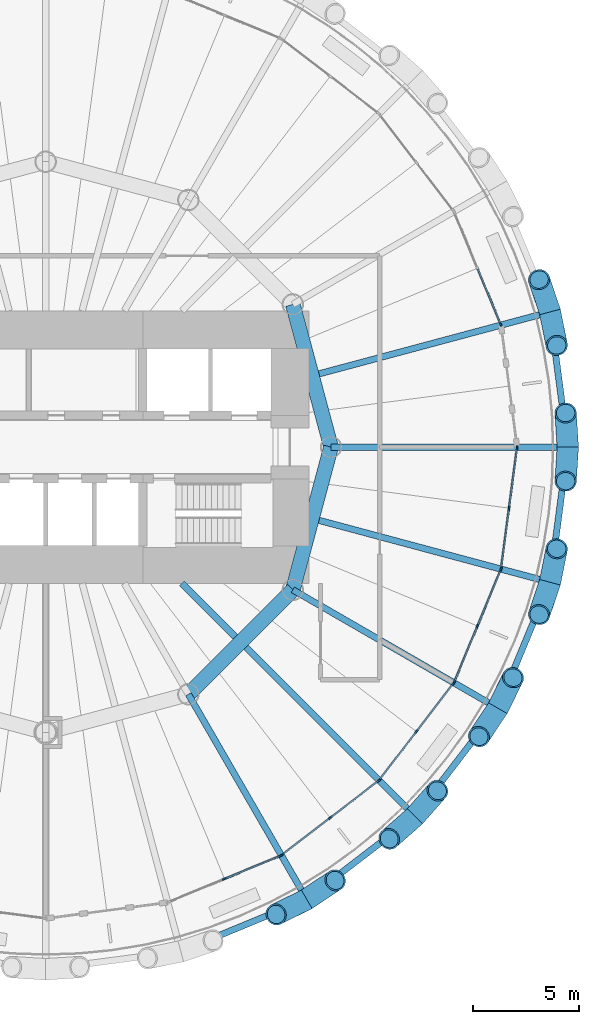
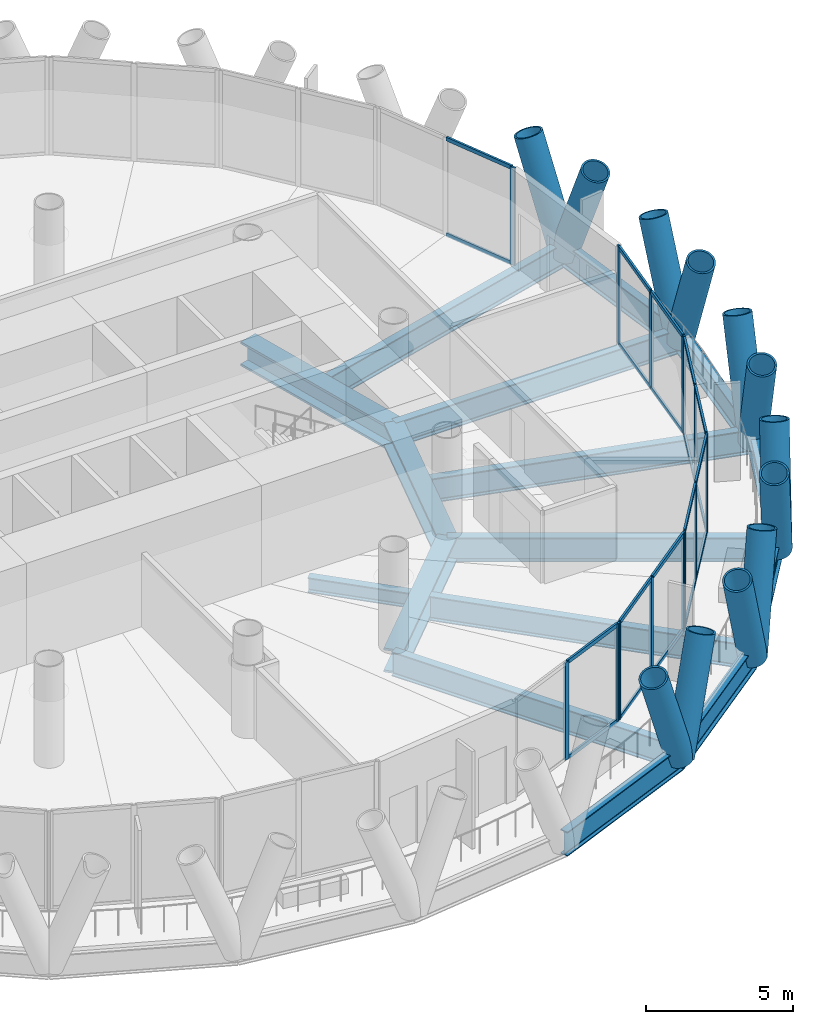
# One storey, part 4 of 14: 47 members, 16 beams, 6 elements without a shape of their own.
"""IFC4 building model written with IfcOpenShell, lengths in metres."""

import ifcopenshell
import ifcopenshell.guid

model = None  # the IFC model being written
_history = None  # IfcOwnerHistory: only IFC2X3 demands one
_inside = {}  # id of a spatial element -> (the spatial element, [elements in it])
_under = {}  # id of a project, library or spatial element -> (it, [spatial elements below it])
_declared = {}  # id of a project -> (the project, [libraries it declares])
_typed = {}  # id of a type object -> (the type object, [elements of that type])
_made_of = {}  # id of a material, layer set ... -> (it, [elements and type objects made of it])


def new_model(schema):
    """Start an empty IFC model of exactly this schema.

    Asked for "IFC4X3", IfcOpenShell would pick the latest addendum, in which some entities
    have other attributes; the version numbers below select the first issue.
    IFC2X3 requires an IfcOwnerHistory on every rooted entity: one is made here for all.
    """
    global model, _history
    if schema == "IFC4X3":
        model = ifcopenshell.file(schema_version=(4, 3, 0, 0))
    else:
        model = ifcopenshell.file(schema=schema)
    _inside.clear()
    _under.clear()
    _declared.clear()
    _typed.clear()
    _made_of.clear()
    _history = None
    if model.schema == "IFC2X3":
        org = make("IfcOrganization", Name="unknown")
        user = make(
            "IfcPersonAndOrganization",
            ThePerson=make("IfcPerson", FamilyName="unknown"),
            TheOrganization=org,
        )
        app = make(
            "IfcApplication",
            ApplicationDeveloper=org,
            Version="unknown",
            ApplicationFullName="unknown",
            ApplicationIdentifier="unknown",
        )
        _history = make(
            "IfcOwnerHistory",
            OwningUser=user,
            OwningApplication=app,
            ChangeAction="ADDED",
            CreationDate=0,
        )
    return model


def make(cls, **values):
    """One entity of the class cls with the attributes given. An attribute that is None is left unset."""
    return model.create_entity(
        cls, **{name: value for name, value in values.items() if value is not None}
    )


def rooted(cls, **values):
    """An entity with a GlobalId (a new one), such as an element, a storey or a relation."""
    return make(cls, GlobalId=ifcopenshell.guid.new(), OwnerHistory=_history, **values)


def si_unit(unit_type, name, prefix=None):
    """IfcSIUnit, for example si_unit("LENGTHUNIT", "METRE", prefix="MILLI")."""
    return make("IfcSIUnit", UnitType=unit_type, Prefix=prefix, Name=name)


def assignment(units):
    """IfcUnitAssignment: the units of a project."""
    return None if units is None else make("IfcUnitAssignment", Units=units)


def point(xyz):
    """IfcCartesianPoint."""
    return None if xyz is None else make("IfcCartesianPoint", Coordinates=xyz)


def direction(xyz):
    """IfcDirection."""
    return None if xyz is None else make("IfcDirection", DirectionRatios=xyz)


def frame(location, z_axis=None, x_axis=None):
    """IfcAxis2Placement3D, a coordinate frame: its origin and axes. An axis left out is left unset."""
    return make(
        "IfcAxis2Placement3D",
        Location=point(location),
        Axis=direction(z_axis),
        RefDirection=direction(x_axis),
    )


def frame_2d(location, x_axis=None):
    """IfcAxis2Placement2D, a coordinate frame in the plane: its origin and x axis."""
    return make(
        "IfcAxis2Placement2D", Location=point(location), RefDirection=direction(x_axis)
    )


def origin():
    """The frame at (0, 0, 0) with its axes left unset."""
    return frame((0.0, 0.0, 0.0))


def origin_2d():
    """The frame at (0, 0) in the plane with its x axis left unset."""
    return frame_2d((0.0, 0.0))


def place(relative_to, where):
    """IfcLocalPlacement: puts the frame where relative to a parent placement (None: the world)."""
    return make(
        "IfcLocalPlacement", PlacementRelTo=relative_to, RelativePlacement=where
    )


def context(
    kind, dimensions, precision=None, world=None, true_north=None, identifier=None
):
    """IfcGeometricRepresentationContext, for example the 3D "Model" context."""
    return make(
        "IfcGeometricRepresentationContext",
        ContextIdentifier=identifier,
        ContextType=kind,
        CoordinateSpaceDimension=dimensions,
        Precision=precision,
        WorldCoordinateSystem=world,
        TrueNorth=true_north,
    )


def subcontext(parent, identifier, kind, view, scale=None):
    """IfcGeometricRepresentationSubContext, for example "Body" below "Model"."""
    return make(
        "IfcGeometricRepresentationSubContext",
        ContextIdentifier=identifier,
        ContextType=kind,
        ParentContext=parent,
        TargetScale=scale,
        TargetView=view,
    )


def project(units=None, contexts=None):
    """IfcProject with its units and contexts."""
    return rooted(
        "IfcProject",
        Name="project",
        RepresentationContexts=contexts,
        UnitsInContext=assignment(units),
    )


def spatial(cls, under=None, at=None, **own):
    """A site, building, storey or space (cls), placed at a placement, below another one or the project."""
    s = rooted(cls, ObjectPlacement=at, **own)
    if under is not None:
        _under.setdefault(under.id(), (under, []))[1].append(s)
    return s


def profile(cls, at=None, kind="AREA", **sizes):
    """A parametric profile (cls). Its sizes go by their IFC names, for example OverallWidth=200.0."""
    return make(cls, ProfileType=kind, Position=at, **sizes)


def rectangle(**sizes):
    """IfcRectangleProfileDef."""
    return profile("IfcRectangleProfileDef", **sizes)


def hollow_circle(**sizes):
    """IfcCircleHollowProfileDef."""
    return profile("IfcCircleHollowProfileDef", **sizes)


def i_section(**sizes):
    """IfcIShapeProfileDef."""
    return profile("IfcIShapeProfileDef", **sizes)


def extrude(swept, where, along, depth):
    """IfcExtrudedAreaSolid: the profile swept, set in the frame where, extruded along a direction by depth."""
    return make(
        "IfcExtrudedAreaSolid",
        SweptArea=swept,
        Position=where,
        ExtrudedDirection=direction(along),
        Depth=depth,
    )


def shape(context_of_items, identifier, shape_type, items):
    """IfcShapeRepresentation: the items that make up one representation, for example the "Body"."""
    return make(
        "IfcShapeRepresentation",
        ContextOfItems=context_of_items,
        RepresentationIdentifier=identifier,
        RepresentationType=shape_type,
        Items=items,
    )


def material(Name=None, Category=None):
    """IfcMaterial."""
    return make("IfcMaterial", Name=Name, Category=Category)


def material_profile(
    of_material, cross_section, Name=None, Category=None, Priority=None
):
    """IfcMaterialProfile: a cross section and its material."""
    return make(
        "IfcMaterialProfile",
        Name=Name,
        Material=of_material,
        Profile=cross_section,
        Priority=Priority,
        Category=Category,
    )


def profile_set(profiles, Name=None, composite=None):
    """IfcMaterialProfileSet."""
    return make(
        "IfcMaterialProfileSet",
        Name=Name,
        MaterialProfiles=profiles,
        CompositeProfile=composite,
    )


def made_of(thing, what):
    """Note that an element or type object is made of a material, layer set ...; save() writes the relation."""
    if what is not None:
        _made_of.setdefault(what.id(), (what, []))[1].append(thing)
    return thing


def type_object(cls, material=None, **own):
    """A type object (cls), such as IfcWallType, which elements share."""
    return made_of(rooted(cls, **own), material)


def element(
    cls,
    number,
    at=None,
    inside=None,
    cuts=None,
    type_object=None,
    material=None,
    context=None,
    identifier="Body",
    shape_type=None,
    held_by="IfcProductDefinitionShape",
    body=None,
    shapes=None,
    **own,
):
    """One element of the class cls, such as IfcWall. Its Tag is "e" and its number.

    at: its placement. inside: the storey or other place that contains it. cuts: it is an
    opening in that element (IfcRelVoidsElement). A single representation is given by context,
    identifier, shape_type and body (its items); several are given by shapes. held_by: the class
    of the entity that holds the representations. save() writes the other relations.
    """
    e = rooted(cls, Tag="e%d" % number, ObjectPlacement=at, **own)
    if body is not None:
        shapes = [shape(context, identifier, shape_type, body)]
    if shapes is not None:
        e.Representation = make(held_by, Representations=shapes)
    if inside is not None:
        _inside.setdefault(inside.id(), (inside, []))[1].append(e)
    if cuts is not None:
        rooted(
            "IfcRelVoidsElement", RelatingBuildingElement=cuts, RelatedOpeningElement=e
        )
    if type_object is not None:
        _typed.setdefault(type_object.id(), (type_object, []))[1].append(e)
    return made_of(e, material)


def aggregate(whole, parts):
    """IfcRelAggregates: a whole, such as a stair, and the parts it consists of."""
    return rooted("IfcRelAggregates", RelatingObject=whole, RelatedObjects=parts)


def save(model, path):
    """Write the relations noted so far, then the file.

    IfcRelAggregates (storeys below a building ...), IfcRelContainedInSpatialStructure (elements
    in a storey), IfcRelDefinesByType, IfcRelAssociatesMaterial and IfcRelDeclares: one each for
    every whole, place, type object, material and project.
    """
    for whole, parts in _under.values():
        aggregate(whole, parts)
    for where, things in _inside.values():
        rooted(
            "IfcRelContainedInSpatialStructure",
            RelatedElements=things,
            RelatingStructure=where,
        )
    for kind, things in _typed.values():
        rooted("IfcRelDefinesByType", RelatedObjects=things, RelatingType=kind)
    for what, things in _made_of.values():
        rooted("IfcRelAssociatesMaterial", RelatedObjects=things, RelatingMaterial=what)
    for by, libraries in _declared.values():
        rooted("IfcRelDeclares", RelatingContext=by, RelatedDefinitions=libraries)
    model.write(path)


model = new_model("IFC4")

# Units and contexts
model_context = context("Model", 3, precision=1e-05, world=origin(), true_north=direction((0.0, 1.0)))
body_context = subcontext(model_context, "Body", "Model", "MODEL_VIEW")
ifc_project = project(units=[si_unit("LENGTHUNIT", "METRE"), si_unit("AREAUNIT", "SQUARE_METRE"), si_unit("VOLUMEUNIT", "CUBIC_METRE"), si_unit("PLANEANGLEUNIT", "RADIAN"), si_unit("MASSUNIT", "GRAM", prefix="KILO")], contexts=[model_context])

# Site, building, storey
site_placement = place(None, origin())
site = spatial("IfcSite", under=ifc_project, at=site_placement, CompositionType="ELEMENT")
building_placement = place(site_placement, origin())
building = spatial("IfcBuilding", under=site, at=building_placement, Name="Qaws Media Tower", CompositionType="ELEMENT")
storey_placement = place(building_placement, frame((0.0, 0.0, 160.39990234375)))
storey = spatial("IfcBuildingStorey", under=building, at=storey_placement, Name="L36", CompositionType="ELEMENT", Elevation=160.39990234375)

# Curtain wall, member
ifc_material_1 = material(Name="Aluminium and clear glass", Category="aluminium")
curtain_wall_type = type_object("IfcCurtainWallType", Name="Unitised curtain wall CW-B", PredefinedType="NOTDEFINED", material=ifc_material_1)
curtain_wall_1_placement = place(storey_placement, origin())
curtain_wall_1 = element("IfcCurtainWall", 1, at=curtain_wall_1_placement, inside=storey, type_object=curtain_wall_type, Name="CWB curtain wall L36-02", PredefinedType="NOTDEFINED")
ifc_material_2 = material(Name="Aluminium mullion", Category="aluminium")
ifc_material_profile_1 = material_profile(ifc_material_2, rectangle(XDim=0.080078125, YDim=0.199951171875, at=origin_2d()), Name="80x200")
ifc_profile_set_1 = profile_set([ifc_material_profile_1], Name="Aluminium mullion")
member_type_1 = type_object("IfcMemberType", Name="Curtain wall mullion 80x200", PredefinedType="MULLION", material=ifc_profile_set_1)
member_1_placement = place(storey_placement, frame((81.52490234375, 55.80859375, 0.0), z_axis=(0.0, 0.0, 1.0), x_axis=(-0.923879550732, -0.382683388377, 0.0)))
member_1 = element("IfcMember", 2, at=member_1_placement, type_object=member_type_1, Name="CWB mullion 1", PredefinedType="MULLION", context=body_context, shape_type="SweptSolid", body=[
    extrude(rectangle(XDim=0.080078125, YDim=0.199951171875, at=origin_2d()), origin(), (0.0, 0.0, 1.0), 4.0400390625),
])

# Curtain wall, members
curtain_wall_2_placement = place(storey_placement, origin())
curtain_wall_2 = element("IfcCurtainWall", 3, at=curtain_wall_2_placement, inside=storey, type_object=curtain_wall_type, Name="CWB curtain wall L36-20", PredefinedType="NOTDEFINED")
member_2_placement = place(storey_placement, frame((68.4609375, 29.57373046875, 0.0), z_axis=(0.0, 0.0, 1.0), x_axis=(-0.382683388377, 0.923879550732, 0.0)))
member_2 = element("IfcMember", 4, at=member_2_placement, type_object=member_type_1, Name="CWB mullion 2", PredefinedType="MULLION", context=body_context, shape_type="SweptSolid", body=[
    extrude(rectangle(XDim=0.080078125, YDim=0.199951171875, at=origin_2d()), origin(), (0.0, 0.0, 1.0), 4.0400390625),
])
member_3_placement = place(storey_placement, frame((71.113037109375, 30.67236328125, 0.0), z_axis=(0.0, 0.0, 1.0), x_axis=(-0.382683388377, 0.923879550732, 0.0)))
member_3 = element("IfcMember", 5, at=member_3_placement, type_object=member_type_1, Name="CWB mullion 3", PredefinedType="MULLION", context=body_context, shape_type="SweptSolid", body=[
    extrude(rectangle(XDim=0.080078125, YDim=0.199951171875, at=origin_2d()), origin(), (0.0, 0.0, 1.0), 4.0400390625),
])

curtain_wall_3_placement = place(storey_placement, origin())
curtain_wall_3 = element("IfcCurtainWall", 6, at=curtain_wall_3_placement, inside=storey, type_object=curtain_wall_type, Name="CWB curtain wall L36-21", PredefinedType="NOTDEFINED")
member_4_placement = place(storey_placement, frame((71.181640625, 30.7119140625, 0.0), z_axis=(0.0, 0.0, 1.0), x_axis=(-0.608761524717, 0.793353266852, 0.0)))
member_4 = element("IfcMember", 7, at=member_4_placement, type_object=member_type_1, Name="CWB mullion 1", PredefinedType="MULLION", context=body_context, shape_type="SweptSolid", body=[
    extrude(rectangle(XDim=0.080078125, YDim=0.199951171875, at=origin_2d()), origin(), (0.0, 0.0, 1.0), 4.0400390625),
])
member_5_placement = place(storey_placement, frame((73.459228515625, 32.45947265625, 0.0), z_axis=(0.0, 0.0, 1.0), x_axis=(-0.608761524717, 0.793353266852, 0.0)))
member_5 = element("IfcMember", 8, at=member_5_placement, type_object=member_type_1, Name="CWB mullion 2", PredefinedType="MULLION", context=body_context, shape_type="SweptSolid", body=[
    extrude(rectangle(XDim=0.080078125, YDim=0.199951171875, at=origin_2d()), origin(), (0.0, 0.0, 1.0), 4.0400390625),
])
member_6_placement = place(storey_placement, frame((75.73681640625, 34.207275390625, 0.0), z_axis=(0.0, 0.0, 1.0), x_axis=(-0.608761524717, 0.793353266852, 0.0)))
member_6 = element("IfcMember", 9, at=member_6_placement, type_object=member_type_1, Name="CWB mullion 3", PredefinedType="MULLION", context=body_context, shape_type="SweptSolid", body=[
    extrude(rectangle(XDim=0.080078125, YDim=0.199951171875, at=origin_2d()), origin(), (0.0, 0.0, 1.0), 4.0400390625),
])

curtain_wall_4_placement = place(storey_placement, origin())
curtain_wall_4 = element("IfcCurtainWall", 10, at=curtain_wall_4_placement, inside=storey, type_object=curtain_wall_type, Name="CWB curtain wall L36-22", PredefinedType="NOTDEFINED")
member_7_placement = place(storey_placement, frame((75.792724609375, 34.26318359375, 0.0), z_axis=(0.0, 0.0, 1.0), x_axis=(-0.793353266852, 0.608761524717, 0.0)))
member_7 = element("IfcMember", 11, at=member_7_placement, type_object=member_type_1, Name="CWB mullion 1", PredefinedType="MULLION", context=body_context, shape_type="SweptSolid", body=[
    extrude(rectangle(XDim=0.080078125, YDim=0.199951171875, at=origin_2d()), origin(), (0.0, 0.0, 1.0), 4.0400390625),
])
member_8_placement = place(storey_placement, frame((77.54052734375, 36.540771484375, 0.0), z_axis=(0.0, 0.0, 1.0), x_axis=(-0.793353266852, 0.608761524717, 0.0)))
member_8 = element("IfcMember", 12, at=member_8_placement, type_object=member_type_1, Name="CWB mullion 2", PredefinedType="MULLION", context=body_context, shape_type="SweptSolid", body=[
    extrude(rectangle(XDim=0.080078125, YDim=0.199951171875, at=origin_2d()), origin(), (0.0, 0.0, 1.0), 4.0400390625),
])
member_9_placement = place(storey_placement, frame((79.2880859375, 38.818359375, 0.0), z_axis=(0.0, 0.0, 1.0), x_axis=(-0.793353266852, 0.608761524717, 0.0)))
member_9 = element("IfcMember", 13, at=member_9_placement, type_object=member_type_1, Name="CWB mullion 3", PredefinedType="MULLION", context=body_context, shape_type="SweptSolid", body=[
    extrude(rectangle(XDim=0.080078125, YDim=0.199951171875, at=origin_2d()), origin(), (0.0, 0.0, 1.0), 4.0400390625),
])

curtain_wall_5_placement = place(storey_placement, origin())
curtain_wall_5 = element("IfcCurtainWall", 14, at=curtain_wall_5_placement, inside=storey, type_object=curtain_wall_type, Name="CWB curtain wall L36-23", PredefinedType="NOTDEFINED")
member_10_placement = place(storey_placement, frame((79.32763671875, 38.886962890625, 0.0), z_axis=(0.0, 0.0, 1.0), x_axis=(-0.923879550732, 0.382683388377, 0.0)))
member_10 = element("IfcMember", 15, at=member_10_placement, type_object=member_type_1, Name="CWB mullion 1", PredefinedType="MULLION", context=body_context, shape_type="SweptSolid", body=[
    extrude(rectangle(XDim=0.080078125, YDim=0.199951171875, at=origin_2d()), origin(), (0.0, 0.0, 1.0), 4.0400390625),
])
member_11_placement = place(storey_placement, frame((80.42626953125, 41.5390625, 0.0), z_axis=(0.0, 0.0, 1.0), x_axis=(-0.923879550732, 0.382683388377, 0.0)))
member_11 = element("IfcMember", 16, at=member_11_placement, type_object=member_type_1, Name="CWB mullion 2", PredefinedType="MULLION", context=body_context, shape_type="SweptSolid", body=[
    extrude(rectangle(XDim=0.080078125, YDim=0.199951171875, at=origin_2d()), origin(), (0.0, 0.0, 1.0), 4.0400390625),
])
member_12_placement = place(storey_placement, frame((81.52490234375, 44.19140625, 0.0), z_axis=(0.0, 0.0, 1.0), x_axis=(-0.923879550732, 0.382683388377, 0.0)))
member_12 = element("IfcMember", 17, at=member_12_placement, type_object=member_type_1, Name="CWB mullion 3", PredefinedType="MULLION", context=body_context, shape_type="SweptSolid", body=[
    extrude(rectangle(XDim=0.080078125, YDim=0.199951171875, at=origin_2d()), origin(), (0.0, 0.0, 1.0), 4.0400390625),
])

curtain_wall_6_placement = place(storey_placement, origin())
curtain_wall_6 = element("IfcCurtainWall", 18, at=curtain_wall_6_placement, inside=storey, type_object=curtain_wall_type, Name="CWB curtain wall L36-24", PredefinedType="NOTDEFINED")
member_13_placement = place(storey_placement, frame((81.54541015625, 44.26806640625, 0.0), z_axis=(0.0, 0.0, 1.0), x_axis=(-0.991444863875, 0.13052617322, 0.0)))
member_13 = element("IfcMember", 19, at=member_13_placement, type_object=member_type_1, Name="CWB mullion 1", PredefinedType="MULLION", context=body_context, shape_type="SweptSolid", body=[
    extrude(rectangle(XDim=0.080078125, YDim=0.199951171875, at=origin_2d()), origin(), (0.0, 0.0, 1.0), 4.0400390625),
])
member_14_placement = place(storey_placement, frame((81.920166015625, 47.1142578125, 0.0), z_axis=(0.0, 0.0, 1.0), x_axis=(-0.991444863875, 0.13052617322, 0.0)))
member_14 = element("IfcMember", 20, at=member_14_placement, type_object=member_type_1, Name="CWB mullion 2", PredefinedType="MULLION", context=body_context, shape_type="SweptSolid", body=[
    extrude(rectangle(XDim=0.080078125, YDim=0.199951171875, at=origin_2d()), origin(), (0.0, 0.0, 1.0), 4.0400390625),
])
member_15_placement = place(storey_placement, frame((82.294677734375, 49.96044921875, 0.0), z_axis=(0.0, 0.0, 1.0), x_axis=(-0.991444863875, 0.13052617322, 0.0)))
member_15 = element("IfcMember", 21, at=member_15_placement, type_object=member_type_1, Name="CWB mullion 3", PredefinedType="MULLION", context=body_context, shape_type="SweptSolid", body=[
    extrude(rectangle(XDim=0.080078125, YDim=0.199951171875, at=origin_2d()), origin(), (0.0, 0.0, 1.0), 4.0400390625),
])

# Member
ifc_material_3 = material(Name="Aluminium transom", Category="aluminium")
ifc_material_profile_2 = material_profile(ifc_material_3, rectangle(XDim=0.080078125, YDim=0.159912109375, at=origin_2d()), Name="80x160")
ifc_profile_set_2 = profile_set([ifc_material_profile_2], Name="Aluminium transom")
member_type_2 = type_object("IfcMemberType", Name="Curtain wall transom 80x160", PredefinedType="USERDEFINED", material=ifc_profile_set_2)
member_16_placement = place(storey_placement, frame((81.509521484375, 55.845458984375, 0.0400390625), z_axis=(-0.38264539254, 0.923895288205, 0.0), x_axis=(-0.923895288205, -0.38264539254, 0.0)))
member_16 = element("IfcMember", 22, at=member_16_placement, type_object=member_type_2, Name="CWB transom 1.1", ObjectType="TRANSOM", PredefinedType="USERDEFINED", context=body_context, shape_type="SweptSolid", body=[
    extrude(rectangle(XDim=0.080078125, YDim=0.159912109375, at=origin_2d()), origin(), (0.0, 0.0, 1.0), 2.790771484375),
])

member_17_placement = place(storey_placement, frame((81.509521484375, 55.845458984375, 4.0), z_axis=(-0.38264539254, 0.923895288205, 0.0), x_axis=(-0.923895288205, -0.38264539254, 0.0)))
member_17 = element("IfcMember", 23, at=member_17_placement, type_object=member_type_2, Name="CWB transom 1.2", ObjectType="TRANSOM", PredefinedType="USERDEFINED", context=body_context, shape_type="SweptSolid", body=[
    extrude(rectangle(XDim=0.080078125, YDim=0.159912109375, at=origin_2d()), origin(), (0.0, 0.0, 1.0), 2.790771484375),
])

aggregate(curtain_wall_1, [member_1, member_16, member_17])

member_18_placement = place(storey_placement, frame((68.497802734375, 29.589111328125, 0.0400390625), z_axis=(0.923895288205, 0.38264539254, 0.0), x_axis=(-0.38264539254, 0.923895288205, 0.0)))
member_18 = element("IfcMember", 24, at=member_18_placement, type_object=member_type_2, Name="CWB transom 2.1", ObjectType="TRANSOM", PredefinedType="USERDEFINED", context=body_context, shape_type="SweptSolid", body=[
    extrude(rectangle(XDim=0.080078125, YDim=0.159912109375, at=origin_2d()), origin(), (0.0, 0.0, 1.0), 2.790771484375),
])

member_19_placement = place(storey_placement, frame((68.497802734375, 29.589111328125, 4.0), z_axis=(0.923895288205, 0.38264539254, 0.0), x_axis=(-0.38264539254, 0.923895288205, 0.0)))
member_19 = element("IfcMember", 25, at=member_19_placement, type_object=member_type_2, Name="CWB transom 2.2", ObjectType="TRANSOM", PredefinedType="USERDEFINED", context=body_context, shape_type="SweptSolid", body=[
    extrude(rectangle(XDim=0.080078125, YDim=0.159912109375, at=origin_2d()), origin(), (0.0, 0.0, 1.0), 2.790771484375),
])

aggregate(curtain_wall_2, [member_2, member_3, member_18, member_19])

member_20_placement = place(storey_placement, frame((71.21337890625, 30.736328125, 0.0400390625), z_axis=(0.793348627538, 0.608767570739, 0.0), x_axis=(-0.608767570739, 0.793348627538, 0.0)))
member_20 = element("IfcMember", 26, at=member_20_placement, type_object=member_type_2, Name="CWB transom 1.1", ObjectType="TRANSOM", PredefinedType="USERDEFINED", context=body_context, shape_type="SweptSolid", body=[
    extrude(rectangle(XDim=0.080078125, YDim=0.159912109375, at=origin_2d()), origin(), (0.0, 0.0, 1.0), 2.790771484375),
])

member_21_placement = place(storey_placement, frame((71.21337890625, 30.736328125, 4.0), z_axis=(0.793348627538, 0.608767570739, 0.0), x_axis=(-0.608767570739, 0.793348627538, 0.0)))
member_21 = element("IfcMember", 27, at=member_21_placement, type_object=member_type_2, Name="CWB transom 1.2", ObjectType="TRANSOM", PredefinedType="USERDEFINED", context=body_context, shape_type="SweptSolid", body=[
    extrude(rectangle(XDim=0.080078125, YDim=0.159912109375, at=origin_2d()), origin(), (0.0, 0.0, 1.0), 2.790771484375),
])

member_22_placement = place(storey_placement, frame((73.490966796875, 32.48388671875, 0.0400390625), z_axis=(0.793348627538, 0.608767570739, 0.0), x_axis=(-0.608767570739, 0.793348627538, 0.0)))
member_22 = element("IfcMember", 28, at=member_22_placement, type_object=member_type_2, Name="CWB transom 2.1", ObjectType="TRANSOM", PredefinedType="USERDEFINED", context=body_context, shape_type="SweptSolid", body=[
    extrude(rectangle(XDim=0.080078125, YDim=0.159912109375, at=origin_2d()), origin(), (0.0, 0.0, 1.0), 2.790771484375),
])

member_23_placement = place(storey_placement, frame((73.490966796875, 32.48388671875, 4.0), z_axis=(0.793348627538, 0.608767570739, 0.0), x_axis=(-0.608767570739, 0.793348627538, 0.0)))
member_23 = element("IfcMember", 29, at=member_23_placement, type_object=member_type_2, Name="CWB transom 2.2", ObjectType="TRANSOM", PredefinedType="USERDEFINED", context=body_context, shape_type="SweptSolid", body=[
    extrude(rectangle(XDim=0.080078125, YDim=0.159912109375, at=origin_2d()), origin(), (0.0, 0.0, 1.0), 2.790771484375),
])

aggregate(curtain_wall_3, [member_4, member_5, member_6, member_20, member_21, member_22, member_23])

member_24_placement = place(storey_placement, frame((75.817138671875, 34.294921875, 0.0400390625), z_axis=(0.608767570739, 0.793348627538, 0.0), x_axis=(-0.793348627538, 0.608767570739, 0.0)))
member_24 = element("IfcMember", 30, at=member_24_placement, type_object=member_type_2, Name="CWB transom 1.1", ObjectType="TRANSOM", PredefinedType="USERDEFINED", context=body_context, shape_type="SweptSolid", body=[
    extrude(rectangle(XDim=0.080078125, YDim=0.159912109375, at=origin_2d()), origin(), (0.0, 0.0, 1.0), 2.790771484375),
])

member_25_placement = place(storey_placement, frame((75.817138671875, 34.294921875, 4.0), z_axis=(0.608767570739, 0.793348627538, 0.0), x_axis=(-0.793348627538, 0.608767570739, 0.0)))
member_25 = element("IfcMember", 31, at=member_25_placement, type_object=member_type_2, Name="CWB transom 1.2", ObjectType="TRANSOM", PredefinedType="USERDEFINED", context=body_context, shape_type="SweptSolid", body=[
    extrude(rectangle(XDim=0.080078125, YDim=0.159912109375, at=origin_2d()), origin(), (0.0, 0.0, 1.0), 2.790771484375),
])

member_26_placement = place(storey_placement, frame((77.564697265625, 36.572509765625, 0.0400390625), z_axis=(0.608767570739, 0.793348627538, 0.0), x_axis=(-0.793348627538, 0.608767570739, 0.0)))
member_26 = element("IfcMember", 32, at=member_26_placement, type_object=member_type_2, Name="CWB transom 2.1", ObjectType="TRANSOM", PredefinedType="USERDEFINED", context=body_context, shape_type="SweptSolid", body=[
    extrude(rectangle(XDim=0.080078125, YDim=0.159912109375, at=origin_2d()), origin(), (0.0, 0.0, 1.0), 2.790771484375),
])

member_27_placement = place(storey_placement, frame((77.564697265625, 36.572509765625, 4.0), z_axis=(0.608767570739, 0.793348627538, 0.0), x_axis=(-0.793348627538, 0.608767570739, 0.0)))
member_27 = element("IfcMember", 33, at=member_27_placement, type_object=member_type_2, Name="CWB transom 2.2", ObjectType="TRANSOM", PredefinedType="USERDEFINED", context=body_context, shape_type="SweptSolid", body=[
    extrude(rectangle(XDim=0.080078125, YDim=0.159912109375, at=origin_2d()), origin(), (0.0, 0.0, 1.0), 2.790771484375),
])

aggregate(curtain_wall_4, [member_7, member_8, member_9, member_24, member_25, member_26, member_27])

member_28_placement = place(storey_placement, frame((79.343017578125, 38.923828125, 0.0400390625), z_axis=(0.38264539254, 0.923895288205, 0.0), x_axis=(-0.923895288205, 0.38264539254, 0.0)))
member_28 = element("IfcMember", 34, at=member_28_placement, type_object=member_type_2, Name="CWB transom 1.1", ObjectType="TRANSOM", PredefinedType="USERDEFINED", context=body_context, shape_type="SweptSolid", body=[
    extrude(rectangle(XDim=0.080078125, YDim=0.159912109375, at=origin_2d()), origin(), (0.0, 0.0, 1.0), 2.790771484375),
])

member_29_placement = place(storey_placement, frame((79.343017578125, 38.923828125, 4.0), z_axis=(0.38264539254, 0.923895288205, 0.0), x_axis=(-0.923895288205, 0.38264539254, 0.0)))
member_29 = element("IfcMember", 35, at=member_29_placement, type_object=member_type_2, Name="CWB transom 1.2", ObjectType="TRANSOM", PredefinedType="USERDEFINED", context=body_context, shape_type="SweptSolid", body=[
    extrude(rectangle(XDim=0.080078125, YDim=0.159912109375, at=origin_2d()), origin(), (0.0, 0.0, 1.0), 2.790771484375),
])

member_30_placement = place(storey_placement, frame((80.441650390625, 41.576171875, 0.0400390625), z_axis=(0.38264539254, 0.923895288205, 0.0), x_axis=(-0.923895288205, 0.38264539254, 0.0)))
member_30 = element("IfcMember", 36, at=member_30_placement, type_object=member_type_2, Name="CWB transom 2.1", ObjectType="TRANSOM", PredefinedType="USERDEFINED", context=body_context, shape_type="SweptSolid", body=[
    extrude(rectangle(XDim=0.080078125, YDim=0.159912109375, at=origin_2d()), origin(), (0.0, 0.0, 1.0), 2.790771484375),
])

member_31_placement = place(storey_placement, frame((80.441650390625, 41.576171875, 4.0), z_axis=(0.38264539254, 0.923895288205, 0.0), x_axis=(-0.923895288205, 0.38264539254, 0.0)))
member_31 = element("IfcMember", 37, at=member_31_placement, type_object=member_type_2, Name="CWB transom 2.2", ObjectType="TRANSOM", PredefinedType="USERDEFINED", context=body_context, shape_type="SweptSolid", body=[
    extrude(rectangle(XDim=0.080078125, YDim=0.159912109375, at=origin_2d()), origin(), (0.0, 0.0, 1.0), 2.790771484375),
])

aggregate(curtain_wall_5, [member_10, member_11, member_12, member_28, member_29, member_30, member_31])

member_32_placement = place(storey_placement, frame((81.550537109375, 44.3076171875, 0.0400390625), z_axis=(0.130524665408, 0.991445062381, 0.0), x_axis=(-0.991445062381, 0.130524665408, 0.0)))
member_32 = element("IfcMember", 38, at=member_32_placement, type_object=member_type_2, Name="CWB transom 1.1", ObjectType="TRANSOM", PredefinedType="USERDEFINED", context=body_context, shape_type="SweptSolid", body=[
    extrude(rectangle(XDim=0.080078125, YDim=0.159912109375, at=origin_2d()), origin(), (0.0, 0.0, 1.0), 2.790771484375),
])

member_33_placement = place(storey_placement, frame((81.550537109375, 44.3076171875, 4.0), z_axis=(0.130524665408, 0.991445062381, 0.0), x_axis=(-0.991445062381, 0.130524665408, 0.0)))
member_33 = element("IfcMember", 39, at=member_33_placement, type_object=member_type_2, Name="CWB transom 1.2", ObjectType="TRANSOM", PredefinedType="USERDEFINED", context=body_context, shape_type="SweptSolid", body=[
    extrude(rectangle(XDim=0.080078125, YDim=0.159912109375, at=origin_2d()), origin(), (0.0, 0.0, 1.0), 2.790771484375),
])

member_34_placement = place(storey_placement, frame((81.92529296875, 47.15380859375, 0.0400390625), z_axis=(0.130524665408, 0.991445062381, 0.0), x_axis=(-0.991445062381, 0.130524665408, 0.0)))
member_34 = element("IfcMember", 40, at=member_34_placement, type_object=member_type_2, Name="CWB transom 2.1", ObjectType="TRANSOM", PredefinedType="USERDEFINED", context=body_context, shape_type="SweptSolid", body=[
    extrude(rectangle(XDim=0.080078125, YDim=0.159912109375, at=origin_2d()), origin(), (0.0, 0.0, 1.0), 2.790771484375),
])

member_35_placement = place(storey_placement, frame((81.92529296875, 47.15380859375, 4.0), z_axis=(0.130524665408, 0.991445062381, 0.0), x_axis=(-0.991445062381, 0.130524665408, 0.0)))
member_35 = element("IfcMember", 41, at=member_35_placement, type_object=member_type_2, Name="CWB transom 2.2", ObjectType="TRANSOM", PredefinedType="USERDEFINED", context=body_context, shape_type="SweptSolid", body=[
    extrude(rectangle(XDim=0.080078125, YDim=0.159912109375, at=origin_2d()), origin(), (0.0, 0.0, 1.0), 2.790771484375),
])

aggregate(curtain_wall_6, [member_13, member_14, member_15, member_32, member_33, member_34, member_35])

# Members
ifc_material_4 = material(Name="Steel S460", Category="steel")
ifc_material_profile_3 = material_profile(ifc_material_4, hollow_circle(Radius=0.508056640625, WallThickness=0.070068359375, at=origin_2d()), Name="CHS 1016x70")
ifc_profile_set_3 = profile_set([ifc_material_profile_3], Name="Steel S460")
member_type_3 = type_object("IfcMemberType", Name="Diagrid member CHS 1016x70", PredefinedType="USERDEFINED", material=ifc_profile_set_3)
for number, where, z_axis, x_axis, name in (
    (42, (84.699951171875, 50.0, -0.663818359375), (-0.022840891918, 0.358292755875, 0.933329842416), (-0.997974189548, -0.063620099001, 0.0), "DG3 diagrid L36 A01"),
    (43, (84.699951171875, 50.0, -0.663818359375), (-0.022840891918, -0.358292755875, 0.933329842416), (0.997974189548, -0.063620099001, 0.0), "DG3 diagrid L36 B01"),
    (44, (83.8583984375, 56.392822265625, -0.663818359375), (-0.11480120197, 0.340171803568, 0.933329431703), (-0.947498002128, -0.319761686204, 0.0), "DG3 diagrid L36 A02"),
):
    element("IfcMember", number, at=place(storey_placement, frame(where, z_axis=z_axis, x_axis=x_axis)), inside=storey, type_object=member_type_3, Name=name, ObjectType="DIAGRID", PredefinedType="USERDEFINED", context=body_context, shape_type="SweptSolid", body=[
        extrude(hollow_circle(Radius=0.508056640625, WallThickness=0.070068359375, at=origin_2d()), origin(), (0.0, 0.0, 1.0), 4.5),
    ])
member_36_placement = place(storey_placement, frame((83.8583984375, 56.392822265625, -0.663818359375), z_axis=(0.070640000511, -0.351952137721, 0.93334863962), x_axis=(0.980446746833, 0.196784594478, 0.0)))
element("IfcMember", 45, at=member_36_placement, inside=storey, type_object=member_type_3, Name="DG3 diagrid L36 B02", ObjectType="DIAGRID", PredefinedType="USERDEFINED", context=body_context, shape_type="SweptSolid", body=[
    extrude(hollow_circle(Radius=0.508056640625, WallThickness=0.070068359375, at=origin_2d()), origin(), (0.0, 0.0, 1.0), 4.499755859375),
])
for number, where, z_axis, x_axis, name in (
    (46, (72.35009765625, 28.609130859375, -0.663818359375), (0.298832726202, 0.19895054593, 0.933336853459), (-0.554176960096, 0.832398880885, 0.0), "DG3 diagrid L36 A21"),
    (47, (72.35009765625, 28.609130859375, -0.663818359375), (-0.321725242768, -0.159343513998, 0.933328727037), (0.443825411844, -0.896113276211, 0.0), "DG3 diagrid L36 B21"),
    (48, (77.465576171875, 32.534423828125, -0.663818359375), (0.237199651247, 0.269480939558, 0.933336139161), (-0.750635564687, 0.660716466441, 0.0), "DG3 diagrid L36 A22"),
    (49, (77.465576171875, 32.534423828125, -0.663818359375), (-0.269480939558, -0.237199651247, 0.933336139161), (0.660716466441, -0.750635564687, 0.0), "DG3 diagrid L36 B22"),
    (50, (81.390869140625, 37.64990234375, -0.663818359375), (0.159343513998, 0.321725242768, 0.933328727037), (-0.896113276211, 0.443825411844, 0.0), "DG3 diagrid L36 A23"),
    (51, (81.390869140625, 37.64990234375, -0.663818359375), (-0.19895054593, -0.298832726202, 0.933336853459), (0.832398880885, -0.554176960096, 0.0), "DG3 diagrid L36 B23"),
):
    element("IfcMember", number, at=place(storey_placement, frame(where, z_axis=z_axis, x_axis=x_axis)), inside=storey, type_object=member_type_3, Name=name, ObjectType="DIAGRID", PredefinedType="USERDEFINED", context=body_context, shape_type="SweptSolid", body=[
        extrude(hollow_circle(Radius=0.508056640625, WallThickness=0.070068359375, at=origin_2d()), origin(), (0.0, 0.0, 1.0), 4.5),
    ])
member_37_placement = place(storey_placement, frame((83.8583984375, 43.607177734375, -0.663818359375), z_axis=(0.070640000511, 0.351952137721, 0.93334863962), x_axis=(-0.980446746833, 0.196784594478, 0.0)))
element("IfcMember", 52, at=member_37_placement, inside=storey, type_object=member_type_3, Name="DG3 diagrid L36 A24", ObjectType="DIAGRID", PredefinedType="USERDEFINED", context=body_context, shape_type="SweptSolid", body=[
    extrude(hollow_circle(Radius=0.508056640625, WallThickness=0.070068359375, at=origin_2d()), origin(), (0.0, 0.0, 1.0), 4.499755859375),
])
member_38_placement = place(storey_placement, frame((83.8583984375, 43.607177734375, -0.663818359375), z_axis=(-0.11480120197, -0.340171803568, 0.933329431703), x_axis=(0.947498002128, -0.319761686204, 0.0)))
element("IfcMember", 53, at=member_38_placement, inside=storey, type_object=member_type_3, Name="DG3 diagrid L36 B24", ObjectType="DIAGRID", PredefinedType="USERDEFINED", context=body_context, shape_type="SweptSolid", body=[
    extrude(hollow_circle(Radius=0.508056640625, WallThickness=0.070068359375, at=origin_2d()), origin(), (0.0, 0.0, 1.0), 4.5),
])

# Beams
ifc_material_5 = material(Name="Steel S460", Category="steel")
ifc_material_profile_4 = material_profile(ifc_material_5, i_section(OverallWidth=0.302001953125, OverallDepth=1.008056640625, WebThickness=0.02099609375, FlangeThickness=0.0400390625, FilletRadius=0.030029296875, at=origin_2d()), Name="HE 1000 M")
ifc_profile_set_4 = profile_set([ifc_material_profile_4], Name="Steel S460")
beam_type_1 = type_object("IfcBeamType", Name="Edge ring beam HE 1000 M", PredefinedType="BEAM", material=ifc_profile_set_4)
for number, where, z_axis, x_axis, name in (
    (54, (84.699951171875, 50.0, -0.663818359375), (-0.130514258263, 0.991446432436, 0.0), (-0.991446432436, -0.130514258263, 0.0), "RB3 edge ring beam L36-01"),
    (55, (66.392822265625, 26.1416015625, -0.663818359375), (0.923882546238, 0.382676156503, 0.0), (-0.382676156503, 0.923882546238, 0.0), "RB3 edge ring beam L36-20"),
    (56, (72.35009765625, 28.609130859375, -0.663818359375), (0.793349726469, 0.608766138604, 0.0), (-0.608766138604, 0.793349726469, 0.0), "RB3 edge ring beam L36-21"),
    (57, (77.465576171875, 32.534423828125, -0.663818359375), (0.608766138604, 0.793349726469, 0.0), (-0.793349726469, 0.608766138604, 0.0), "RB3 edge ring beam L36-22"),
    (58, (81.390869140625, 37.64990234375, -0.663818359375), (0.382676156503, 0.923882546238, 0.0), (-0.923882546238, 0.382676156503, 0.0), "RB3 edge ring beam L36-23"),
    (59, (83.8583984375, 43.607177734375, -0.663818359375), (0.130514258263, 0.991446432436, 0.0), (-0.991446432436, 0.130514258263, 0.0), "RB3 edge ring beam L36-24"),
):
    element("IfcBeam", number, at=place(storey_placement, frame(where, z_axis=z_axis, x_axis=x_axis)), inside=storey, type_object=beam_type_1, Name=name, PredefinedType="BEAM", context=body_context, shape_type="SweptSolid", body=[
        extrude(i_section(OverallWidth=0.302001953125, OverallDepth=1.008056640625, WebThickness=0.02099609375, FlangeThickness=0.0400390625, FilletRadius=0.030029296875, at=origin_2d()), origin(), (0.0, 0.0, 1.0), 6.447998046875),
    ])
ifc_material_6 = material(Name="Steel S460", Category="steel")
ifc_material_profile_5 = material_profile(ifc_material_6, i_section(OverallWidth=0.699951171875, OverallDepth=1.0, WebThickness=0.034912109375, FlangeThickness=0.090087890625, at=origin_2d()), Name="PG 1000x700")
ifc_profile_set_5 = profile_set([ifc_material_profile_5], Name="Steel S460")
beam_type_2 = type_object("IfcBeamType", Name="Inner ring girder PG 1000x700", PredefinedType="BEAM", material=ifc_profile_set_5)
beam_1_placement = place(storey_placement, frame((73.5, 50.0, -0.659912109375), z_axis=(-0.258810593767, 0.965928090778, 0.0), x_axis=(-0.965928090778, -0.258810593767, 0.0)))
element("IfcBeam", 60, at=beam_1_placement, inside=storey, type_object=beam_type_2, Name="B3 inner ring beam L36 I01-I02", PredefinedType="BEAM", context=body_context, shape_type="SweptSolid", body=[
    extrude(i_section(OverallWidth=0.699951171875, OverallDepth=1.0, WebThickness=0.034912109375, FlangeThickness=0.090087890625, at=origin_2d()), origin(), (0.0, 0.0, 1.0), 6.988037109375),
])
beam_2_placement = place(storey_placement, frame((66.75, 38.30859375, -0.659912109375), z_axis=(0.707106781187, 0.707106781187, 0.0), x_axis=(-0.707106781187, 0.707106781187, 0.0)))
element("IfcBeam", 61, at=beam_2_placement, inside=storey, type_object=beam_type_2, Name="B3 inner ring beam L36 I11-I12", PredefinedType="BEAM", context=body_context, shape_type="SweptSolid", body=[
    extrude(i_section(OverallWidth=0.699951171875, OverallDepth=1.0, WebThickness=0.034912109375, FlangeThickness=0.090087890625, at=origin_2d()), origin(), (0.0, 0.0, 1.0), 6.98828125),
])
beam_3_placement = place(storey_placement, frame((71.69140625, 43.25, -0.659912109375), z_axis=(0.258810593767, 0.965928090778, 0.0), x_axis=(-0.965928090778, 0.258810593767, 0.0)))
element("IfcBeam", 62, at=beam_3_placement, inside=storey, type_object=beam_type_2, Name="B3 inner ring beam L36 I12-I01", PredefinedType="BEAM", context=body_context, shape_type="SweptSolid", body=[
    extrude(i_section(OverallWidth=0.699951171875, OverallDepth=1.0, WebThickness=0.034912109375, FlangeThickness=0.090087890625, at=origin_2d()), origin(), (0.0, 0.0, 1.0), 6.988037109375),
])
ifc_material_7 = material(Name="Steel S355", Category="steel")
ifc_material_profile_6 = material_profile(ifc_material_7, i_section(OverallWidth=0.302001953125, OverallDepth=1.008056640625, WebThickness=0.02099609375, FlangeThickness=0.0400390625, FilletRadius=0.030029296875, at=origin_2d()), Name="HE 1000 M")
ifc_profile_set_6 = profile_set([ifc_material_profile_6], Name="Steel S355")
beam_type_3 = type_object("IfcBeamType", Name="Radial beam HE 1000 M", PredefinedType="BEAM", material=ifc_profile_set_6)
beam_4_placement = place(storey_placement, frame((73.5, 50.0, -0.663818359375), z_axis=(1.0, 0.0, 0.0), x_axis=(0.0, 1.0, 0.0)))
element("IfcBeam", 63, at=beam_4_placement, inside=storey, type_object=beam_type_3, Name="B1 radial beam L36 01", PredefinedType="BEAM", context=body_context, shape_type="SweptSolid", body=[
    extrude(i_section(OverallWidth=0.302001953125, OverallDepth=1.008056640625, WebThickness=0.02099609375, FlangeThickness=0.0400390625, FilletRadius=0.030029296875, at=origin_2d()), origin(), (0.0, 0.0, 1.0), 11.199951171875),
])
beam_5_placement = place(storey_placement, frame((72.933837890625, 53.465576171875, -0.663818359375), z_axis=(0.965925408126, 0.258820605704, 0.0), x_axis=(-0.258820605704, 0.965925408126, 0.0)))
element("IfcBeam", 64, at=beam_5_placement, inside=storey, type_object=beam_type_3, Name="B1 radial beam L36 02", PredefinedType="BEAM", context=body_context, shape_type="SweptSolid", body=[
    extrude(i_section(OverallWidth=0.302001953125, OverallDepth=1.008056640625, WebThickness=0.02099609375, FlangeThickness=0.0400390625, FilletRadius=0.030029296875, at=origin_2d()), origin(), (0.0, 0.0, 1.0), 11.31005859375),
])
beam_6_placement = place(storey_placement, frame((66.75, 38.30859375, -0.663818359375), z_axis=(0.500007375767, -0.866021145342, 0.0), x_axis=(0.866021145342, 0.500007375767, 0.0)))
element("IfcBeam", 65, at=beam_6_placement, inside=storey, type_object=beam_type_3, Name="B1 radial beam L36 21", PredefinedType="BEAM", context=body_context, shape_type="SweptSolid", body=[
    extrude(i_section(OverallWidth=0.302001953125, OverallDepth=1.008056640625, WebThickness=0.02099609375, FlangeThickness=0.0400390625, FilletRadius=0.030029296875, at=origin_2d()), origin(), (0.0, 0.0, 1.0), 11.199951171875),
])
beam_7_placement = place(storey_placement, frame((69.46826171875, 40.53173828125, -0.663818359375), z_axis=(0.707106781187, -0.707106781187, 0.0), x_axis=(0.707106781187, 0.707106781187, 0.0)))
element("IfcBeam", 66, at=beam_7_placement, inside=storey, type_object=beam_type_3, Name="B1 radial beam L36 22", PredefinedType="BEAM", context=body_context, shape_type="SweptSolid", body=[
    extrude(i_section(OverallWidth=0.302001953125, OverallDepth=1.008056640625, WebThickness=0.02099609375, FlangeThickness=0.0400390625, FilletRadius=0.030029296875, at=origin_2d()), origin(), (0.0, 0.0, 1.0), 11.309814453125),
])
beam_8_placement = place(storey_placement, frame((71.69140625, 43.25, -0.663818359375), z_axis=(0.866021145342, -0.500007375767, 0.0), x_axis=(0.500007375767, 0.866021145342, 0.0)))
element("IfcBeam", 67, at=beam_8_placement, inside=storey, type_object=beam_type_3, Name="B1 radial beam L36 23", PredefinedType="BEAM", context=body_context, shape_type="SweptSolid", body=[
    extrude(i_section(OverallWidth=0.302001953125, OverallDepth=1.008056640625, WebThickness=0.02099609375, FlangeThickness=0.0400390625, FilletRadius=0.030029296875, at=origin_2d()), origin(), (0.0, 0.0, 1.0), 11.199951171875),
])
beam_9_placement = place(storey_placement, frame((72.933837890625, 46.534423828125, -0.663818359375), z_axis=(0.965925408126, -0.258820605704, 0.0), x_axis=(0.258820605704, 0.965925408126, 0.0)))
element("IfcBeam", 68, at=beam_9_placement, inside=storey, type_object=beam_type_3, Name="B1 radial beam L36 24", PredefinedType="BEAM", context=body_context, shape_type="SweptSolid", body=[
    extrude(i_section(OverallWidth=0.302001953125, OverallDepth=1.008056640625, WebThickness=0.02099609375, FlangeThickness=0.0400390625, FilletRadius=0.030029296875, at=origin_2d()), origin(), (0.0, 0.0, 1.0), 11.31005859375),
])
ifc_material_8 = material(Name="Steel S355", Category="steel")
ifc_material_profile_7 = material_profile(ifc_material_8, i_section(OverallWidth=0.304931640625, OverallDepth=0.6201171875, WebThickness=0.02099609375, FlangeThickness=0.0400390625, FilletRadius=0.027099609375, at=origin_2d()), Name="HE 600 M")
ifc_profile_set_7 = profile_set([ifc_material_profile_7], Name="Steel S355")
beam_type_4 = type_object("IfcBeamType", Name="Radial beam HE 600 M, core side", PredefinedType="BEAM", material=ifc_profile_set_7)
beam_10_placement = place(storey_placement, frame((66.449951171875, 43.550048828125, -0.469970703125), z_axis=(0.707106781187, -0.707106781187, 0.0), x_axis=(0.707106781187, 0.707106781187, 0.0)))
element("IfcBeam", 69, at=beam_10_placement, inside=storey, type_object=beam_type_4, Name="B2 radial beam L36 22", PredefinedType="BEAM", context=body_context, shape_type="SweptSolid", body=[
    extrude(i_section(OverallWidth=0.304931640625, OverallDepth=0.6201171875, WebThickness=0.02099609375, FlangeThickness=0.0400390625, FilletRadius=0.027099609375, at=origin_2d()), origin(), (0.0, 0.0, 1.0), 3.568359375),
])

save(model, "model.ifc")
